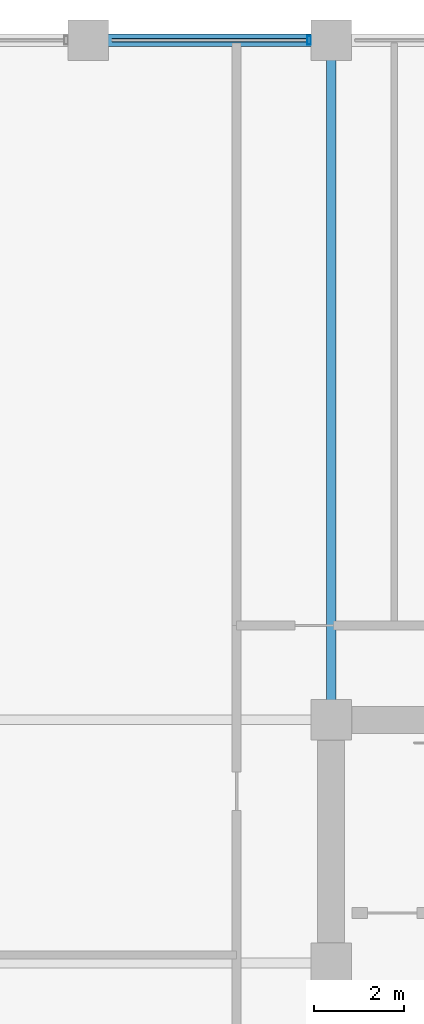
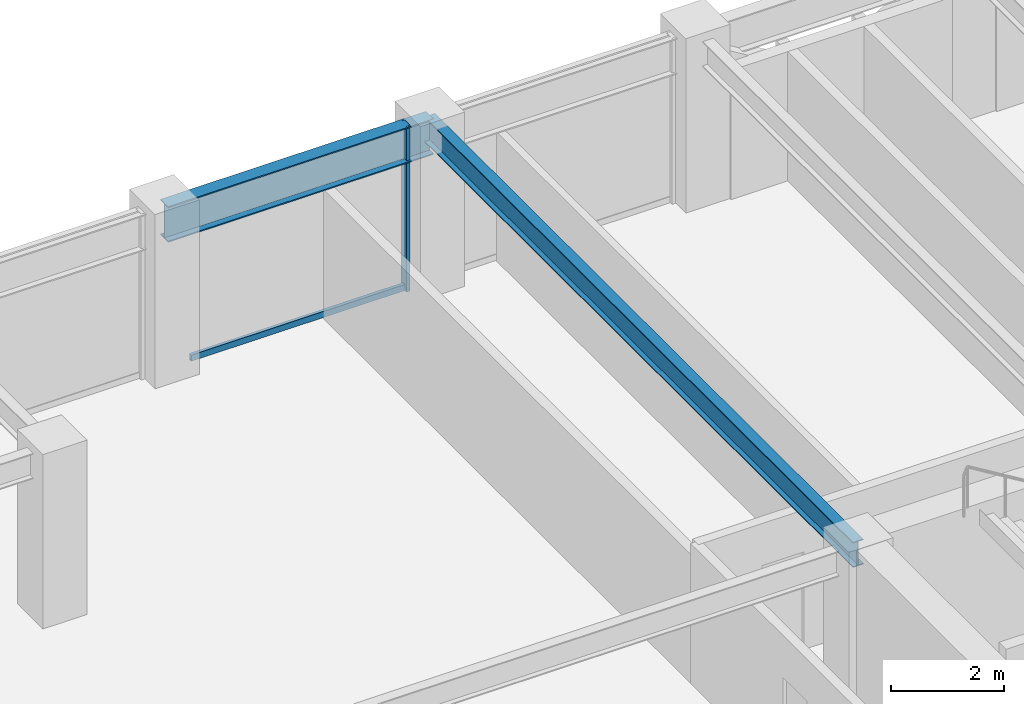
# One storey, part 19 of 32: 2 beams, 2 members, 1 element without a shape of its own.
"""IFC4 building model written with IfcOpenShell, lengths in metres."""

from ifc_helpers import new_model, si_unit, direction, frame, origin, origin_2d, place, context, subcontext, project, spatial, hollow_rectangle, i_section, extrude, material, layer, layer_set, material_profile, profile_set, type_object, element, aggregate, save


model = new_model("IFC4")

# Units and contexts
model_context = context("Model", 3, precision=1e-05, world=origin(), true_north=direction((0.0, 1.0)))
body_context = subcontext(model_context, "Body", "Model", "MODEL_VIEW")
ifc_project = project(units=[si_unit("LENGTHUNIT", "METRE"), si_unit("AREAUNIT", "SQUARE_METRE"), si_unit("VOLUMEUNIT", "CUBIC_METRE"), si_unit("PLANEANGLEUNIT", "RADIAN"), si_unit("MASSUNIT", "GRAM", prefix="KILO")], contexts=[model_context])

# Site, building, storey
site_placement = place(None, origin())
site = spatial("IfcSite", under=ifc_project, at=site_placement, CompositionType="ELEMENT")
building_placement = place(site_placement, origin())
building = spatial("IfcBuilding", under=site, at=building_placement, Name="Surkhivell Harbour Commons", CompositionType="ELEMENT")
storey_placement = place(building_placement, frame((0.0, 0.0, 212.25)))
storey = spatial("IfcBuildingStorey", under=building, at=storey_placement, Name="L55", CompositionType="ELEMENT", Elevation=212.25)

# Beams
ifc_material_1 = material(Name="Steel S355", Category="steel")
ifc_material_profile_1 = material_profile(ifc_material_1, i_section(OverallWidth=0.2119140625, OverallDepth=0.5439453125, WebThickness=0.0126953125, FlangeThickness=0.021240234375, at=origin_2d()), Name="UB533x210x122")
ifc_profile_set_1 = profile_set([ifc_material_profile_1], Name="Steel S355")
beam_type_1 = type_object("IfcBeamType", Name="BM-GRD-533A", PredefinedType="BEAM", material=ifc_profile_set_1)
beam_1_placement = place(storey_placement, frame((-10.800048828125, 10.800048828125, 3.298095703125), z_axis=(0.0, 1.0, 0.0), x_axis=(-1.0, 0.0, 0.0)))
element("IfcBeam", 1, at=beam_1_placement, inside=storey, type_object=beam_type_1, Name="L55 Floor Girder (-10.8,10.8)", PredefinedType="BEAM", context=body_context, shape_type="SweptSolid", body=[
    extrude(i_section(OverallWidth=0.2119140625, OverallDepth=0.5439453125, WebThickness=0.0126953125, FlangeThickness=0.021240234375, at=origin_2d()), origin(), (0.0, 0.0, 1.0), 15.099853515625),
])
ifc_material_profile_2 = material_profile(ifc_material_1, i_section(OverallWidth=0.26806640625, OverallDepth=0.77001953125, WebThickness=0.015625, FlangeThickness=0.025390625, at=origin_2d()), Name="UB762x267x197")
ifc_profile_set_2 = profile_set([ifc_material_profile_2], Name="Steel S355")
beam_type_2 = type_object("IfcBeamType", Name="BM-SPN-762", PredefinedType="SPANDREL", material=ifc_profile_set_2)
beam_2_placement = place(storey_placement, frame((-16.199951171875, 25.89990234375, 3.18505859375), z_axis=(1.0, 0.0, 0.0), x_axis=(0.0, 1.0, 0.0)))
element("IfcBeam", 2, at=beam_2_placement, inside=storey, type_object=beam_type_2, Name="L55 Tube Spandrel (-16.2,25.9)", PredefinedType="SPANDREL", context=body_context, shape_type="SweptSolid", body=[
    extrude(i_section(OverallWidth=0.26806640625, OverallDepth=0.77001953125, WebThickness=0.015625, FlangeThickness=0.025390625, at=origin_2d()), origin(), (0.0, 0.0, 1.0), 5.39990234375),
])

# Curtain wall, members
ifc_material_2 = material(Name="Anodised pale-metal aluminium and insulated glazing", Category="aluminium")
ifc_layer = layer(ifc_material_2, 0.18994140625)
ifc_layer_set = layer_set([ifc_layer], Name="Anodised pale-metal aluminium and insulated glazing")
curtain_wall_type = type_object("IfcCurtainWallType", Name="CW-SYS-Z3", PredefinedType="NOTDEFINED", material=ifc_layer_set)
curtain_wall_placement = place(storey_placement, origin())
curtain_wall = element("IfcCurtainWall", 3, at=curtain_wall_placement, inside=storey, type_object=curtain_wall_type, Name="L55 Curtain Wall CW-L55-E07S2", PredefinedType="NOTDEFINED")
ifc_material_3 = material(Name="Anodised pale-metal aluminium alloy 6063-T6", Category="aluminium")
ifc_material_profile_3 = material_profile(ifc_material_3, hollow_rectangle(XDim=0.074951171875, YDim=0.18994140625, WallThickness=0.00390625, at=origin_2d()), Name="ALU-MULL-75x190")
ifc_profile_set_3 = profile_set([ifc_material_profile_3], Name="Anodised pale-metal aluminium alloy 6063-T6")
member_type_1 = type_object("IfcMemberType", Name="CWM-190", PredefinedType="MULLION", material=ifc_profile_set_3)
member_1_placement = place(storey_placement, frame((-11.28955078125, 25.89990234375, 0.0), z_axis=(0.0, 0.0, 1.0), x_axis=(-1.0, 0.0, 0.0)))
member_1 = element("IfcMember", 4, at=member_1_placement, type_object=member_type_1, Name="CW-Z3 mullion 2", PredefinedType="MULLION", context=body_context, shape_type="SweptSolid", body=[
    extrude(hollow_rectangle(XDim=0.074951171875, YDim=0.18994140625, WallThickness=0.00390625, at=origin_2d()), origin(), (0.0, 0.0, 1.0), 3.570068359375),
])
ifc_material_4 = material(Name="Champagne anodised aluminium alloy 6063-T6", Category="aluminium")
ifc_material_profile_4 = material_profile(ifc_material_4, hollow_rectangle(XDim=0.070068359375, YDim=0.1298828125, WallThickness=0.00341796875, at=origin_2d()), Name="ALU-TRAN-70x130")
ifc_profile_set_4 = profile_set([ifc_material_profile_4], Name="Champagne anodised aluminium alloy 6063-T6")
member_type_2 = type_object("IfcMemberType", Name="CWT-130", PredefinedType="USERDEFINED", material=ifc_profile_set_4)
member_2_placement = place(storey_placement, frame((-11.326904296875, 25.89990234375, 0.06494140625), z_axis=(-1.0, 0.0, 0.0), x_axis=(0.0, -1.0, 0.0)))
member_2 = element("IfcMember", 5, at=member_2_placement, type_object=member_type_2, Name="CW-Z3 transom 2.1", ObjectType="TRANSOM", PredefinedType="USERDEFINED", context=body_context, shape_type="SweptSolid", body=[
    extrude(hollow_rectangle(XDim=0.070068359375, YDim=0.1298828125, WallThickness=0.00341796875, at=origin_2d()), origin(), (0.0, 0.0, 1.0), 4.34619140625),
])
aggregate(curtain_wall, [member_1, member_2])

save(model, "model.ifc")
